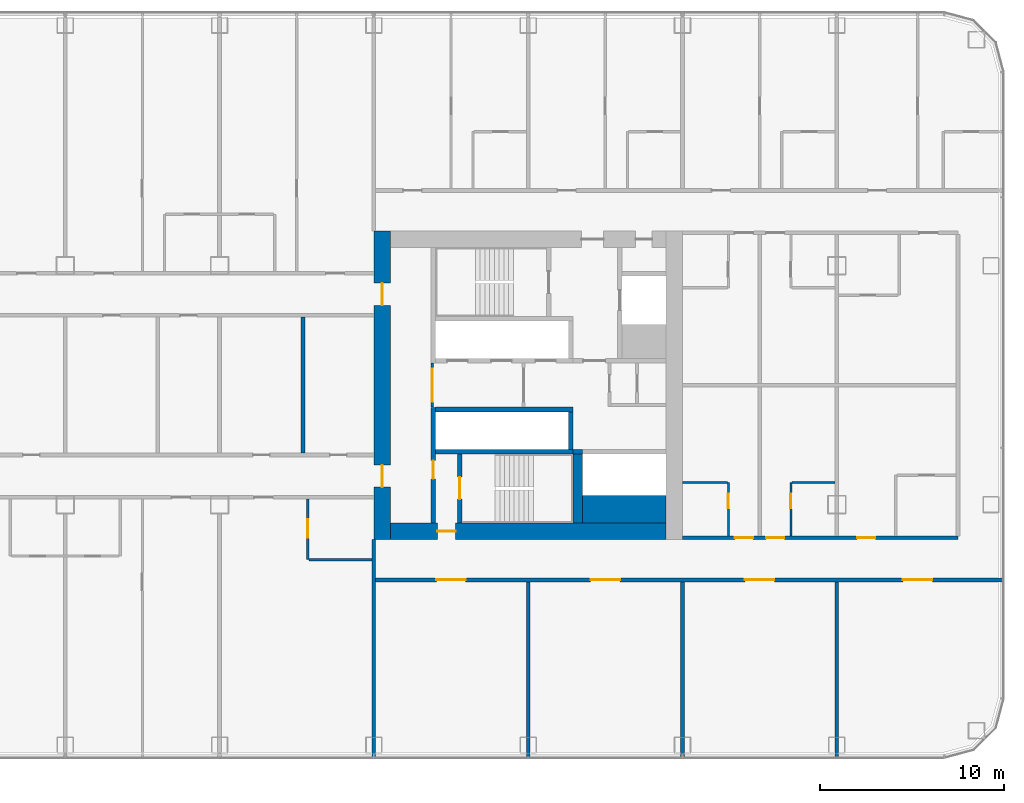
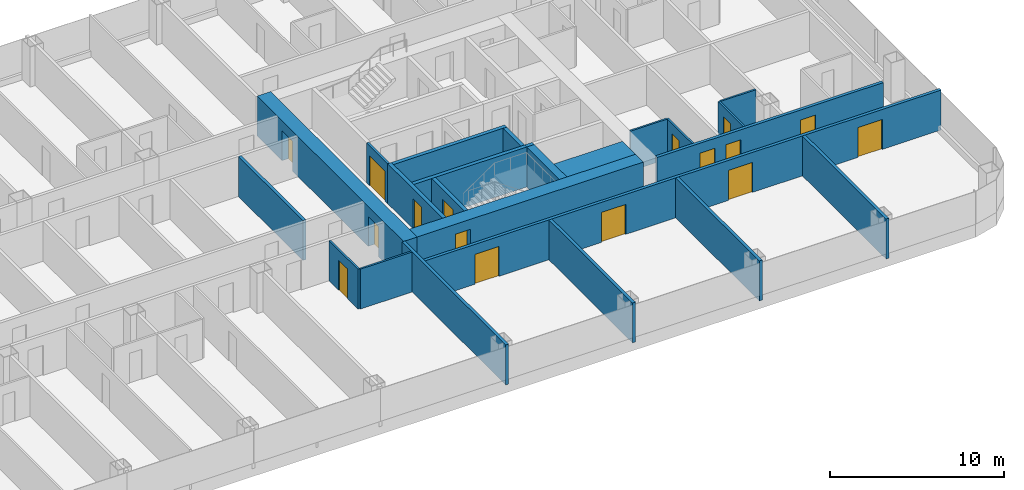
# One storey, part 17 of 28: 24 walls, 16 doors, 16 openings.
"""IFC4 building model written with IfcOpenShell, lengths in metres."""

from ifc_helpers import new_model, si_unit, direction, frame, frame_2d, origin, place, context, subcontext, project, spatial, rectangle, extrude, material, layer, layer_set, type_object, element, fill, save


model = new_model("IFC4")

# Units and contexts
model_context = context("Model", 3, precision=1e-05, world=origin(), true_north=direction((0.0, 1.0)))
body_context = subcontext(model_context, "Body", "Model", "MODEL_VIEW")
ifc_project = project(units=[si_unit("LENGTHUNIT", "METRE"), si_unit("AREAUNIT", "SQUARE_METRE"), si_unit("VOLUMEUNIT", "CUBIC_METRE"), si_unit("PLANEANGLEUNIT", "RADIAN"), si_unit("MASSUNIT", "GRAM", prefix="KILO")], contexts=[model_context])

# Site, building, storey
site_placement = place(None, origin())
site = spatial("IfcSite", under=ifc_project, at=site_placement, CompositionType="ELEMENT")
building_placement = place(site_placement, origin())
building = spatial("IfcBuilding", under=site, at=building_placement, Name="Hakoniwa Tower and Hamabe Station Hall", CompositionType="ELEMENT")
storey_placement = place(building_placement, frame((0.0, 0.0, 32.60009765625)))
storey = spatial("IfcBuildingStorey", under=building, at=storey_placement, Name="L08", CompositionType="ELEMENT", Elevation=32.60009765625)

# Walls
ifc_material_1 = material(Name="Gypsum board partition", Category="gypsum")
ifc_layer_1 = layer(ifc_material_1, 0.125)
ifc_layer_set_1 = layer_set([ifc_layer_1], Name="Bathroom Partition 125")
wall_type_1 = type_object("IfcWallType", Name="Bathroom Partition 125", PredefinedType="PARTITIONING", material=ifc_layer_set_1)
wall_1_placement = place(storey_placement, frame((13.262451171875, -9.5, 0.0), z_axis=(0.0, 0.0, 1.0), x_axis=(1.0, 0.0, 0.0)))
element("IfcWall", 1, at=wall_1_placement, inside=storey, type_object=wall_type_1, Name="GW-L08-003", PredefinedType="PARTITIONING", context=body_context, shape_type="SweptSolid", body=[
    extrude(rectangle(XDim=3.4375, YDim=0.125, at=frame_2d((1.71875, 0.0))), origin(), (0.0, 0.0, 1.0), 2.7998046875),
])
wall_2_placement = place(storey_placement, frame((33.60009765625, -5.300048828125, 0.0), z_axis=(0.0, 0.0, 1.0), x_axis=(1.0, 0.0, 0.0)))
element("IfcWall", 2, at=wall_2_placement, inside=storey, type_object=wall_type_1, Name="GW-L08-009", PredefinedType="PARTITIONING", context=body_context, shape_type="SweptSolid", body=[
    extrude(rectangle(XDim=2.4375, YDim=0.125, at=frame_2d((1.21875, 0.0))), origin(), (0.0, 0.0, 1.0), 2.7998046875),
])
wall_3_placement = place(storey_placement, frame((39.5625, -5.300048828125, 0.0), z_axis=(0.0, 0.0, 1.0), x_axis=(1.0, 0.0, 0.0)))
element("IfcWall", 3, at=wall_3_placement, inside=storey, type_object=wall_type_1, Name="GW-L08-010", PredefinedType="PARTITIONING", context=body_context, shape_type="SweptSolid", body=[
    extrude(rectangle(XDim=2.33740234375, YDim=0.125, at=frame_2d((1.168701171875, 0.0))), origin(), (0.0, 0.0, 1.0), 2.7998046875),
])

# Wall, opening, door
wall_4_placement = place(storey_placement, frame((13.199951171875, -9.5, 0.0), z_axis=(0.0, 0.0, 1.0), x_axis=(0.0, 1.0, 0.0)))
wall_4 = element("IfcWall", 4, at=wall_4_placement, inside=storey, type_object=wall_type_1, Name="GW-L08-084", PredefinedType="PARTITIONING", context=body_context, shape_type="SweptSolid", body=[
    extrude(rectangle(XDim=3.300048828125, YDim=0.125, at=frame_2d((1.64990234375, 0.0))), origin(), (0.0, 0.0, 1.0), 2.7998046875),
])
opening_1_placement = place(wall_4_placement, frame((1.199951171875, 0.0, 0.0)))
opening_1 = element("IfcOpeningElement", 5, at=opening_1_placement, cuts=wall_4, Name="Opening GD-G1E0-74", PredefinedType="OPENING", context=body_context, shape_type="SweptSolid", body=[
    extrude(rectangle(XDim=1.0, YDim=2.10009765625, at=frame_2d((0.5, 1.050048828125))), frame((0.0, 0.072509765625, 0.0), z_axis=(0.0, -1.0, 0.0), x_axis=(1.0, 0.0, 0.0)), (0.0, 0.0, 1.0), 0.14501953125),
])
ifc_material_2 = material(Name="Timber door leaf", Category="wood")
door_type_1 = type_object("IfcDoorType", Name="Accessible Bathroom Door 1000", OperationType="SINGLE_SWING_LEFT", PredefinedType="DOOR", material=ifc_material_2)
door_1_placement = place(opening_1_placement, origin())
door_1 = element("IfcDoor", 6, at=door_1_placement, inside=storey, type_object=door_type_1, Name="Door GD-G1E0-74", OperationType="SINGLE_SWING_LEFT", OverallHeight=2.10009765625, OverallWidth=1.0, PredefinedType="DOOR", context=body_context, shape_type="SweptSolid", body=[
    extrude(rectangle(XDim=1.0, YDim=2.10009765625, at=frame_2d((0.5, 1.050048828125))), frame((0.0, 0.02490234375, 0.0), z_axis=(0.0, -1.0, 0.0), x_axis=(1.0, 0.0, 0.0)), (0.0, 0.0, 1.0), 0.050048828125),
])
fill(opening_1, door_1)

wall_5_placement = place(storey_placement, frame((36.10009765625, -8.199951171875, 0.0), z_axis=(0.0, 0.0, 1.0), x_axis=(0.0, 1.0, 0.0)))
wall_5 = element("IfcWall", 7, at=wall_5_placement, inside=storey, type_object=wall_type_1, Name="GW-L08-095", PredefinedType="PARTITIONING", context=body_context, shape_type="SweptSolid", body=[
    extrude(rectangle(XDim=2.89990234375, YDim=0.125, at=frame_2d((1.449951171875, 0.0))), origin(), (0.0, 0.0, 1.0), 2.7998046875),
])
opening_2_placement = place(wall_5_placement, frame((1.5, 0.0, 0.0)))
opening_2 = element("IfcOpeningElement", 8, at=opening_2_placement, cuts=wall_5, Name="Opening GD-G1E0-77", PredefinedType="OPENING", context=body_context, shape_type="SweptSolid", body=[
    extrude(rectangle(XDim=0.800048828125, YDim=2.10009765625, at=frame_2d((0.39990234375, 1.050048828125))), frame((0.0, 0.072509765625, 0.0), z_axis=(0.0, -1.0, 0.0), x_axis=(1.0, 0.0, 0.0)), (0.0, 0.0, 1.0), 0.14501953125),
])
ifc_material_3 = material(Name="Timber door leaf", Category="wood")
door_type_2 = type_object("IfcDoorType", Name="Bathroom Door 800", OperationType="SINGLE_SWING_LEFT", PredefinedType="DOOR", material=ifc_material_3)
door_2_placement = place(opening_2_placement, origin())
door_2 = element("IfcDoor", 9, at=door_2_placement, inside=storey, type_object=door_type_2, Name="Door GD-G1E0-77", OperationType="SINGLE_SWING_LEFT", OverallHeight=2.10009765625, OverallWidth=0.800048828125, PredefinedType="DOOR", context=body_context, shape_type="SweptSolid", body=[
    extrude(rectangle(XDim=0.800048828125, YDim=2.10009765625, at=frame_2d((0.39990234375, 1.050048828125))), frame((0.0, 0.02490234375, 0.0), z_axis=(0.0, -1.0, 0.0), x_axis=(1.0, 0.0, 0.0)), (0.0, 0.0, 1.0), 0.050048828125),
])
fill(opening_2, door_2)

wall_6_placement = place(storey_placement, frame((39.5, -8.199951171875, 0.0), z_axis=(0.0, 0.0, 1.0), x_axis=(0.0, 1.0, 0.0)))
wall_6 = element("IfcWall", 10, at=wall_6_placement, inside=storey, type_object=wall_type_1, Name="GW-L08-100", PredefinedType="PARTITIONING", context=body_context, shape_type="SweptSolid", body=[
    extrude(rectangle(XDim=2.89990234375, YDim=0.125, at=frame_2d((1.449951171875, 0.0))), origin(), (0.0, 0.0, 1.0), 2.7998046875),
])
opening_3_placement = place(wall_6_placement, frame((1.5, 0.0, 0.0)))
opening_3 = element("IfcOpeningElement", 11, at=opening_3_placement, cuts=wall_6, Name="Opening GD-G1E0-80", PredefinedType="OPENING", context=body_context, shape_type="SweptSolid", body=[
    extrude(rectangle(XDim=0.800048828125, YDim=2.10009765625, at=frame_2d((0.39990234375, 1.050048828125))), frame((0.0, 0.072509765625, 0.0), z_axis=(0.0, -1.0, 0.0), x_axis=(1.0, 0.0, 0.0)), (0.0, 0.0, 1.0), 0.14501953125),
])
door_3_placement = place(opening_3_placement, origin())
door_3 = element("IfcDoor", 12, at=door_3_placement, inside=storey, type_object=door_type_2, Name="Door GD-G1E0-80", OperationType="SINGLE_SWING_RIGHT", OverallHeight=2.10009765625, OverallWidth=0.800048828125, PredefinedType="DOOR", context=body_context, shape_type="SweptSolid", body=[
    extrude(rectangle(XDim=0.800048828125, YDim=2.10009765625, at=frame_2d((0.39990234375, 1.050048828125))), frame((0.0, 0.02490234375, 0.0), z_axis=(0.0, -1.0, 0.0), x_axis=(1.0, 0.0, 0.0)), (0.0, 0.0, 1.0), 0.050048828125),
])
fill(opening_3, door_3)

ifc_material_4 = material(Name="Gypsum board partition")
ifc_layer_2 = layer(ifc_material_4, 0.14990234375)
ifc_layer_set_2 = layer_set([ifc_layer_2], Name="CORE PARTITION 150 EI 60")
wall_type_2 = type_object("IfcWallType", Name="CORE PARTITION 150 EI 60", PredefinedType="PARTITIONING", material=ifc_layer_set_2)
wall_7_placement = place(storey_placement, frame((19.97509765625, -1.199951171875, 0.0), z_axis=(0.0, 0.0, 1.0), x_axis=(0.0, 1.0, 0.0)))
wall_7 = element("IfcWall", 13, at=wall_7_placement, inside=storey, type_object=wall_type_2, Name="Core partition PL0 east", PredefinedType="PARTITIONING", context=body_context, shape_type="SweptSolid", body=[
    extrude(rectangle(XDim=2.39990234375, YDim=0.14990234375, at=frame_2d((1.199951171875, 0.0))), origin(), (0.0, 0.0, 1.0), 2.7998046875),
])
opening_4_placement = place(wall_7_placement, frame((0.300048828125, 0.0, 0.0)))
opening_4 = element("IfcOpeningElement", 14, at=opening_4_placement, cuts=wall_7, Name="Opening CD-E-LP0-18", PredefinedType="OPENING", context=body_context, shape_type="SweptSolid", body=[
    extrude(rectangle(XDim=1.800048828125, YDim=2.10009765625, at=frame_2d((0.89990234375, 1.050048828125))), frame((0.0, 0.0849609375, 0.0), z_axis=(0.0, -1.0, 0.0), x_axis=(1.0, 0.0, 0.0)), (0.0, 0.0, 1.0), 0.169921875),
])
ifc_material_5 = material(Name="Steel fire door", Category="steel")
door_type_3 = type_object("IfcDoorType", Name="CORE DOOR 1800 FD60", OperationType="DOUBLE_DOOR_SINGLE_SWING", PredefinedType="DOOR", material=ifc_material_5)
door_4_placement = place(opening_4_placement, origin())
door_4 = element("IfcDoor", 15, at=door_4_placement, inside=storey, type_object=door_type_3, Name="Lift lobby partition door", OperationType="DOUBLE_DOOR_SINGLE_SWING", OverallHeight=2.10009765625, OverallWidth=1.800048828125, PredefinedType="DOOR", context=body_context, shape_type="SweptSolid", body=[
    extrude(rectangle(XDim=1.800048828125, YDim=2.10009765625, at=frame_2d((0.89990234375, 1.050048828125))), frame((0.0, 0.02490234375, 0.0), z_axis=(0.0, -1.0, 0.0), x_axis=(1.0, 0.0, 0.0)), (0.0, 0.0, 1.0), 0.050048828125),
])
fill(opening_4, door_4)

# Wall, openings, doors
ifc_material_6 = material(Name="Concrete C80", Category="concrete")
ifc_layer_3 = layer(ifc_material_6, 0.89990234375)
ifc_layer_set_3 = layer_set([ifc_layer_3], Name="CORE WALL 900 C80")
wall_type_3 = type_object("IfcWallType", Name="CORE WALL 900 C80", PredefinedType="SHEAR", material=ifc_layer_set_3)
wall_8_placement = place(storey_placement, frame((17.25, -8.39990234375, 0.0), z_axis=(0.0, 0.0, 1.0), x_axis=(0.0, 1.0, 0.0)))
wall_8 = element("IfcWall", 16, at=wall_8_placement, inside=storey, type_object=wall_type_3, Name="Core wall INNER east", PredefinedType="SHEAR", context=body_context, shape_type="SweptSolid", body=[
    extrude(rectangle(XDim=16.7998046875, YDim=0.89990234375, at=frame_2d((8.39990234375, 0.0))), origin(), (0.0, 0.0, 1.0), 2.7998046875),
])
opening_5_placement = place(wall_8_placement, frame((12.75, 0.0, 0.0)))
opening_5 = element("IfcOpeningElement", 17, at=opening_5_placement, cuts=wall_8, Name="Opening CD-E-IN1-12", PredefinedType="OPENING", context=body_context, shape_type="SweptSolid", body=[
    extrude(rectangle(XDim=1.199951171875, YDim=2.10009765625, at=frame_2d((0.60009765625, 1.050048828125))), frame((0.0, 0.4599609375, 0.0), z_axis=(0.0, -1.0, 0.0), x_axis=(1.0, 0.0, 0.0)), (0.0, 0.0, 1.0), 0.919921875),
])
opening_6_placement = place(wall_8_placement, frame((2.85009765625, 0.0, 0.0)))
opening_6 = element("IfcOpeningElement", 18, at=opening_6_placement, cuts=wall_8, Name="Opening CD-E-IN2-12", PredefinedType="OPENING", context=body_context, shape_type="SweptSolid", body=[
    extrude(rectangle(XDim=1.199951171875, YDim=2.10009765625, at=frame_2d((0.60009765625, 1.050048828125))), frame((0.0, 0.4599609375, 0.0), z_axis=(0.0, -1.0, 0.0), x_axis=(1.0, 0.0, 0.0)), (0.0, 0.0, 1.0), 0.919921875),
])
ifc_material_7 = material(Name="Steel fire door", Category="steel")
door_type_4 = type_object("IfcDoorType", Name="CORE DOOR 1200 FD60", OperationType="DOUBLE_DOOR_SINGLE_SWING", PredefinedType="DOOR", material=ifc_material_7)
door_5_placement = place(opening_5_placement, origin())
door_5 = element("IfcDoor", 19, at=door_5_placement, inside=storey, type_object=door_type_4, Name="Lift lobby door", OperationType="DOUBLE_DOOR_SINGLE_SWING", OverallHeight=2.10009765625, OverallWidth=1.199951171875, PredefinedType="DOOR", context=body_context, shape_type="SweptSolid", body=[
    extrude(rectangle(XDim=1.199951171875, YDim=2.10009765625, at=frame_2d((0.60009765625, 1.050048828125))), frame((0.0, 0.02490234375, 0.0), z_axis=(0.0, -1.0, 0.0), x_axis=(1.0, 0.0, 0.0)), (0.0, 0.0, 1.0), 0.050048828125),
])
fill(opening_5, door_5)
door_6_placement = place(opening_6_placement, origin())
door_6 = element("IfcDoor", 20, at=door_6_placement, inside=storey, type_object=door_type_4, Name="Lift lobby door", OperationType="DOUBLE_DOOR_SINGLE_SWING", OverallHeight=2.10009765625, OverallWidth=1.199951171875, PredefinedType="DOOR", context=body_context, shape_type="SweptSolid", body=[
    extrude(rectangle(XDim=1.199951171875, YDim=2.10009765625, at=frame_2d((0.60009765625, 1.050048828125))), frame((0.0, 0.02490234375, 0.0), z_axis=(0.0, -1.0, 0.0), x_axis=(1.0, 0.0, 0.0)), (0.0, 0.0, 1.0), 0.050048828125),
])
fill(opening_6, door_6)

# Wall, opening, door
wall_9_placement = place(storey_placement, frame((17.699951171875, -7.949951171875, 0.0), z_axis=(0.0, 0.0, 1.0), x_axis=(1.0, 0.0, 0.0)))
wall_9 = element("IfcWall", 21, at=wall_9_placement, inside=storey, type_object=wall_type_3, Name="Core wall SOUTH east", PredefinedType="SHEAR", context=body_context, shape_type="SweptSolid", body=[
    extrude(rectangle(XDim=15.0, YDim=0.89990234375, at=frame_2d((7.5, 0.0))), origin(), (0.0, 0.0, 1.0), 2.7998046875),
])
opening_7_placement = place(wall_9_placement, frame((2.550048828125, 0.0, 0.0)))
opening_7 = element("IfcOpeningElement", 22, at=opening_7_placement, cuts=wall_9, Name="Opening CD-E-FS3-10", PredefinedType="OPENING", context=body_context, shape_type="SweptSolid", body=[
    extrude(rectangle(XDim=1.0, YDim=2.10009765625, at=frame_2d((0.5, 1.050048828125))), frame((0.0, 0.4599609375, 0.0), z_axis=(0.0, -1.0, 0.0), x_axis=(1.0, 0.0, 0.0)), (0.0, 0.0, 1.0), 0.919921875),
])
ifc_material_8 = material(Name="Steel fire door", Category="steel")
door_type_5 = type_object("IfcDoorType", Name="CORE DOOR 1000 FD60", OperationType="NOTDEFINED", PredefinedType="DOOR", material=ifc_material_8)
door_7_placement = place(opening_7_placement, origin())
door_7 = element("IfcDoor", 23, at=door_7_placement, inside=storey, type_object=door_type_5, Name="Stair vestibule door", OperationType="SINGLE_SWING_RIGHT", OverallHeight=2.10009765625, OverallWidth=1.0, PredefinedType="DOOR", context=body_context, shape_type="SweptSolid", body=[
    extrude(rectangle(XDim=1.0, YDim=2.10009765625, at=frame_2d((0.5, 1.050048828125))), frame((0.0, 0.02490234375, 0.0), z_axis=(0.0, -1.0, 0.0), x_axis=(1.0, 0.0, 0.0)), (0.0, 0.0, 1.0), 0.050048828125),
])
fill(opening_7, door_7)

# Wall
ifc_material_9 = material(Name="Concrete C80", Category="concrete")
ifc_layer_4 = layer(ifc_material_9, 1.5)
ifc_layer_set_4 = layer_set([ifc_layer_4], Name="CORE WEB WALL 1500 C80")
wall_type_4 = type_object("IfcWallType", Name="CORE WEB WALL 1500 C80", PredefinedType="SHEAR", material=ifc_layer_set_4)
wall_10_placement = place(storey_placement, frame((28.14990234375, -6.75, 0.0), z_axis=(0.0, 0.0, 1.0), x_axis=(1.0, 0.0, 0.0)))
element("IfcWall", 24, at=wall_10_placement, inside=storey, type_object=wall_type_4, Name="Core wall SER east", PredefinedType="SHEAR", context=body_context, shape_type="SweptSolid", body=[
    extrude(rectangle(XDim=4.550048828125, YDim=1.5, at=frame_2d((2.27490234375, 0.0))), origin(), (0.0, 0.0, 1.0), 2.7998046875),
])

# Wall, opening, door
ifc_material_10 = material(Name="Concrete C80", Category="concrete")
ifc_layer_5 = layer(ifc_material_10, 0.25)
ifc_layer_set_5 = layer_set([ifc_layer_5], Name="CORE WEB WALL 250 C80")
wall_type_5 = type_object("IfcWallType", Name="CORE WEB WALL 250 C80", PredefinedType="SHEAR", material=ifc_layer_set_5)
wall_11_placement = place(storey_placement, frame((20.02490234375, -7.5, 0.0), z_axis=(0.0, 0.0, 1.0), x_axis=(0.0, 1.0, 0.0)))
wall_11 = element("IfcWall", 25, at=wall_11_placement, inside=storey, type_object=wall_type_5, Name="Core wall W1S east", PredefinedType="SHEAR", context=body_context, shape_type="SweptSolid", body=[
    extrude(rectangle(XDim=6.300048828125, YDim=0.25, at=frame_2d((3.14990234375, 0.0))), origin(), (0.0, 0.0, 1.0), 2.7998046875),
])
opening_8_placement = place(wall_11_placement, frame((2.39990234375, 0.0, 0.0)))
opening_8 = element("IfcOpeningElement", 26, at=opening_8_placement, cuts=wall_11, Name="Opening CD-E-VS-10", PredefinedType="OPENING", context=body_context, shape_type="SweptSolid", body=[
    extrude(rectangle(XDim=1.0, YDim=2.10009765625, at=frame_2d((0.5, 1.050048828125))), frame((0.0, 0.135009765625, 0.0), z_axis=(0.0, -1.0, 0.0), x_axis=(1.0, 0.0, 0.0)), (0.0, 0.0, 1.0), 0.27001953125),
])
door_8_placement = place(opening_8_placement, origin())
door_8 = element("IfcDoor", 27, at=door_8_placement, inside=storey, type_object=door_type_5, Name="Stair vestibule door", OperationType="SINGLE_SWING_RIGHT", OverallHeight=2.10009765625, OverallWidth=1.0, PredefinedType="DOOR", context=body_context, shape_type="SweptSolid", body=[
    extrude(rectangle(XDim=1.0, YDim=2.10009765625, at=frame_2d((0.5, 1.050048828125))), frame((0.0, 0.02490234375, 0.0), z_axis=(0.0, -1.0, 0.0), x_axis=(1.0, 0.0, 0.0)), (0.0, 0.0, 1.0), 0.050048828125),
])
fill(opening_8, door_8)

# Walls
wall_12_placement = place(storey_placement, frame((20.14990234375, -1.324951171875, 0.0), z_axis=(0.0, 0.0, 1.0), x_axis=(1.0, 0.0, 0.0)))
element("IfcWall", 28, at=wall_12_placement, inside=storey, type_object=wall_type_5, Name="Core wall SF east", PredefinedType="SHEAR", context=body_context, shape_type="SweptSolid", body=[
    extrude(rectangle(XDim=7.5, YDim=0.25, at=frame_2d((3.75, 0.0))), origin(), (0.0, 0.0, 1.0), 2.7998046875),
])
wall_13_placement = place(storey_placement, frame((27.52490234375, -3.5, 0.0), z_axis=(0.0, 0.0, 1.0), x_axis=(0.0, 1.0, 0.0)))
element("IfcWall", 29, at=wall_13_placement, inside=storey, type_object=wall_type_5, Name="Core wall SE east", PredefinedType="SHEAR", context=body_context, shape_type="SweptSolid", body=[
    extrude(rectangle(XDim=2.050048828125, YDim=0.25, at=frame_2d((1.02490234375, 0.0))), origin(), (0.0, 0.0, 1.0), 2.7998046875),
])
wall_14_placement = place(storey_placement, frame((20.14990234375, -3.625, 0.0), z_axis=(0.0, 0.0, 1.0), x_axis=(1.0, 0.0, 0.0)))
element("IfcWall", 30, at=wall_14_placement, inside=storey, type_object=wall_type_5, Name="Core wall SR east", PredefinedType="SHEAR", context=body_context, shape_type="SweptSolid", body=[
    extrude(rectangle(XDim=7.5, YDim=0.25, at=frame_2d((3.75, 0.0))), origin(), (0.0, 0.0, 1.0), 2.7998046875),
])

# Wall, opening, door
wall_15_placement = place(storey_placement, frame((21.47509765625, -7.5, 0.0), z_axis=(0.0, 0.0, 1.0), x_axis=(0.0, 1.0, 0.0)))
wall_15 = element("IfcWall", 31, at=wall_15_placement, inside=storey, type_object=wall_type_5, Name="Core wall VE east", PredefinedType="SHEAR", context=body_context, shape_type="SweptSolid", body=[
    extrude(rectangle(XDim=3.75, YDim=0.25, at=frame_2d((1.875, 0.0))), origin(), (0.0, 0.0, 1.0), 2.7998046875),
])
opening_9_placement = place(wall_15_placement, frame((1.300048828125, 0.0, 0.0)))
opening_9 = element("IfcOpeningElement", 32, at=opening_9_placement, cuts=wall_15, Name="Opening CD-E-SS-12", PredefinedType="OPENING", context=body_context, shape_type="SweptSolid", body=[
    extrude(rectangle(XDim=1.199951171875, YDim=2.10009765625, at=frame_2d((0.60009765625, 1.050048828125))), frame((0.0, 0.135009765625, 0.0), z_axis=(0.0, -1.0, 0.0), x_axis=(1.0, 0.0, 0.0)), (0.0, 0.0, 1.0), 0.27001953125),
])
door_9_placement = place(opening_9_placement, origin())
door_9 = element("IfcDoor", 33, at=door_9_placement, inside=storey, type_object=door_type_4, Name="Escape stair door", OperationType="DOUBLE_DOOR_SINGLE_SWING", OverallHeight=2.10009765625, OverallWidth=1.199951171875, PredefinedType="DOOR", context=body_context, shape_type="SweptSolid", body=[
    extrude(rectangle(XDim=1.199951171875, YDim=2.10009765625, at=frame_2d((0.60009765625, 1.050048828125))), frame((0.0, 0.02490234375, 0.0), z_axis=(0.0, -1.0, 0.0), x_axis=(1.0, 0.0, 0.0)), (0.0, 0.0, 1.0), 0.050048828125),
])
fill(opening_9, door_9)

# Walls
wall_16_placement = place(storey_placement, frame((27.64990234375, -3.625, 0.0), z_axis=(0.0, 0.0, 1.0), x_axis=(1.0, 0.0, 0.0)))
element("IfcWall", 34, at=wall_16_placement, inside=storey, type_object=wall_type_5, Name="Core wall SRK east", PredefinedType="SHEAR", context=body_context, shape_type="SweptSolid", body=[
    extrude(rectangle(XDim=0.5, YDim=0.25, at=frame_2d((0.25, 0.0))), origin(), (0.0, 0.0, 1.0), 2.7998046875),
])
ifc_material_11 = material(Name="Concrete C80", Category="concrete")
ifc_layer_6 = layer(ifc_material_11, 0.5)
ifc_layer_set_6 = layer_set([ifc_layer_6], Name="CORE WEB WALL 500 C80")
wall_type_6 = type_object("IfcWallType", Name="CORE WEB WALL 500 C80", PredefinedType="SHEAR", material=ifc_layer_set_6)
wall_17_placement = place(storey_placement, frame((27.89990234375, -7.5, 0.0), z_axis=(0.0, 0.0, 1.0), x_axis=(0.0, 1.0, 0.0)))
element("IfcWall", 35, at=wall_17_placement, inside=storey, type_object=wall_type_6, Name="Core wall SSE east", PredefinedType="SHEAR", context=body_context, shape_type="SweptSolid", body=[
    extrude(rectangle(XDim=3.75, YDim=0.5, at=frame_2d((1.875, 0.0))), origin(), (0.0, 0.0, 1.0), 2.7998046875),
])

# Wall, openings, doors
ifc_material_12 = material(Name="Fire-rated gypsum board partition", Category="gypsum")
ifc_layer_7 = layer(ifc_material_12, 0.199951171875)
ifc_layer_set_7 = layer_set([ifc_layer_7], Name="Corridor Wall 200")
wall_type_7 = type_object("IfcWallType", Name="Corridor Wall 200", PredefinedType="PARTITIONING", material=ifc_layer_set_7)
wall_18_placement = place(storey_placement, frame((16.800048828125, -10.60009765625, 0.0), z_axis=(0.0, 0.0, 1.0), x_axis=(1.0, 0.0, 0.0)))
wall_18 = element("IfcWall", 36, at=wall_18_placement, inside=storey, type_object=wall_type_7, Name="GW-L08-002", PredefinedType="PARTITIONING", context=body_context, shape_type="SweptSolid", body=[
    extrude(rectangle(XDim=34.300048828125, YDim=0.199951171875, at=frame_2d((17.14990234375, 0.0))), origin(), (0.0, 0.0, 1.0), 2.7998046875),
])
opening_10_placement = place(wall_18_placement, frame((3.39990234375, 0.0, 0.0)))
opening_10 = element("IfcOpeningElement", 37, at=opening_10_placement, cuts=wall_18, Name="Opening GD-G1E0-08", PredefinedType="OPENING", context=body_context, shape_type="SweptSolid", body=[
    extrude(rectangle(XDim=1.60009765625, YDim=2.10009765625, at=frame_2d((0.800048828125, 1.050048828125))), frame((0.0, 0.10986328125, 0.0), z_axis=(0.0, -1.0, 0.0), x_axis=(1.0, 0.0, 0.0)), (0.0, 0.0, 1.0), 0.219970703125),
])
opening_11_placement = place(wall_18_placement, frame((11.800048828125, 0.0, 0.0)))
opening_11 = element("IfcOpeningElement", 38, at=opening_11_placement, cuts=wall_18, Name="Opening GD-G1E0-09", PredefinedType="OPENING", context=body_context, shape_type="SweptSolid", body=[
    extrude(rectangle(XDim=1.60009765625, YDim=2.10009765625, at=frame_2d((0.800048828125, 1.050048828125))), frame((0.0, 0.10986328125, 0.0), z_axis=(0.0, -1.0, 0.0), x_axis=(1.0, 0.0, 0.0)), (0.0, 0.0, 1.0), 0.219970703125),
])
opening_12_placement = place(wall_18_placement, frame((20.199951171875, 0.0, 0.0)))
opening_12 = element("IfcOpeningElement", 39, at=opening_12_placement, cuts=wall_18, Name="Opening GD-G1E0-10", PredefinedType="OPENING", context=body_context, shape_type="SweptSolid", body=[
    extrude(rectangle(XDim=1.60009765625, YDim=2.10009765625, at=frame_2d((0.800048828125, 1.050048828125))), frame((0.0, 0.10986328125, 0.0), z_axis=(0.0, -1.0, 0.0), x_axis=(1.0, 0.0, 0.0)), (0.0, 0.0, 1.0), 0.219970703125),
])
opening_13_placement = place(wall_18_placement, frame((28.800048828125, 0.0, 0.0)))
opening_13 = element("IfcOpeningElement", 40, at=opening_13_placement, cuts=wall_18, Name="Opening GD-G1E0-11", PredefinedType="OPENING", context=body_context, shape_type="SweptSolid", body=[
    extrude(rectangle(XDim=1.60009765625, YDim=2.10009765625, at=frame_2d((0.800048828125, 1.050048828125))), frame((0.0, 0.10986328125, 0.0), z_axis=(0.0, -1.0, 0.0), x_axis=(1.0, 0.0, 0.0)), (0.0, 0.0, 1.0), 0.219970703125),
])
ifc_material_13 = material(Name="Timber door leaf", Category="wood")
door_type_6 = type_object("IfcDoorType", Name="Double Door 1600", OperationType="DOUBLE_DOOR_SINGLE_SWING", PredefinedType="DOOR", material=ifc_material_13)
door_10_placement = place(opening_10_placement, origin())
door_10 = element("IfcDoor", 41, at=door_10_placement, inside=storey, type_object=door_type_6, Name="Door GD-G1E0-08", OperationType="DOUBLE_DOOR_SINGLE_SWING", OverallHeight=2.10009765625, OverallWidth=1.60009765625, PredefinedType="DOOR", context=body_context, shape_type="SweptSolid", body=[
    extrude(rectangle(XDim=1.60009765625, YDim=2.10009765625, at=frame_2d((0.800048828125, 1.050048828125))), frame((0.0, 0.02490234375, 0.0), z_axis=(0.0, -1.0, 0.0), x_axis=(1.0, 0.0, 0.0)), (0.0, 0.0, 1.0), 0.050048828125),
])
fill(opening_10, door_10)
door_11_placement = place(opening_11_placement, origin())
door_11 = element("IfcDoor", 42, at=door_11_placement, inside=storey, type_object=door_type_6, Name="Door GD-G1E0-09", OperationType="DOUBLE_DOOR_SINGLE_SWING", OverallHeight=2.10009765625, OverallWidth=1.60009765625, PredefinedType="DOOR", context=body_context, shape_type="SweptSolid", body=[
    extrude(rectangle(XDim=1.60009765625, YDim=2.10009765625, at=frame_2d((0.800048828125, 1.050048828125))), frame((0.0, 0.02490234375, 0.0), z_axis=(0.0, -1.0, 0.0), x_axis=(1.0, 0.0, 0.0)), (0.0, 0.0, 1.0), 0.050048828125),
])
fill(opening_11, door_11)
door_12_placement = place(opening_12_placement, origin())
door_12 = element("IfcDoor", 43, at=door_12_placement, inside=storey, type_object=door_type_6, Name="Door GD-G1E0-10", OperationType="DOUBLE_DOOR_SINGLE_SWING", OverallHeight=2.10009765625, OverallWidth=1.60009765625, PredefinedType="DOOR", context=body_context, shape_type="SweptSolid", body=[
    extrude(rectangle(XDim=1.60009765625, YDim=2.10009765625, at=frame_2d((0.800048828125, 1.050048828125))), frame((0.0, 0.02490234375, 0.0), z_axis=(0.0, -1.0, 0.0), x_axis=(1.0, 0.0, 0.0)), (0.0, 0.0, 1.0), 0.050048828125),
])
fill(opening_12, door_12)
door_13_placement = place(opening_13_placement, origin())
door_13 = element("IfcDoor", 44, at=door_13_placement, inside=storey, type_object=door_type_6, Name="Door GD-G1E0-11", OperationType="DOUBLE_DOOR_SINGLE_SWING", OverallHeight=2.10009765625, OverallWidth=1.60009765625, PredefinedType="DOOR", context=body_context, shape_type="SweptSolid", body=[
    extrude(rectangle(XDim=1.60009765625, YDim=2.10009765625, at=frame_2d((0.800048828125, 1.050048828125))), frame((0.0, 0.02490234375, 0.0), z_axis=(0.0, -1.0, 0.0), x_axis=(1.0, 0.0, 0.0)), (0.0, 0.0, 1.0), 0.050048828125),
])
fill(opening_13, door_13)

wall_19_placement = place(storey_placement, frame((33.60009765625, -8.300048828125, 0.0), z_axis=(0.0, 0.0, 1.0), x_axis=(1.0, 0.0, 0.0)))
wall_19 = element("IfcWall", 45, at=wall_19_placement, inside=storey, type_object=wall_type_7, Name="GW-L08-007", PredefinedType="PARTITIONING", context=body_context, shape_type="SweptSolid", body=[
    extrude(rectangle(XDim=15.0, YDim=0.199951171875, at=frame_2d((7.5, 0.0))), origin(), (0.0, 0.0, 1.0), 2.7998046875),
])
opening_14_placement = place(wall_19_placement, frame((2.85009765625, 0.0, 0.0)))
opening_14 = element("IfcOpeningElement", 46, at=opening_14_placement, cuts=wall_19, Name="Opening GD-G1E0-17", PredefinedType="OPENING", context=body_context, shape_type="SweptSolid", body=[
    extrude(rectangle(XDim=1.0, YDim=2.10009765625, at=frame_2d((0.5, 1.050048828125))), frame((0.0, 0.10986328125, 0.0), z_axis=(0.0, -1.0, 0.0), x_axis=(1.0, 0.0, 0.0)), (0.0, 0.0, 1.0), 0.219970703125),
])
opening_15_placement = place(wall_19_placement, frame((4.550048828125, 0.0, 0.0)))
opening_15 = element("IfcOpeningElement", 47, at=opening_15_placement, cuts=wall_19, Name="Opening GD-G1E0-18", PredefinedType="OPENING", context=body_context, shape_type="SweptSolid", body=[
    extrude(rectangle(XDim=1.0, YDim=2.10009765625, at=frame_2d((0.5, 1.050048828125))), frame((0.0, 0.10986328125, 0.0), z_axis=(0.0, -1.0, 0.0), x_axis=(1.0, 0.0, 0.0)), (0.0, 0.0, 1.0), 0.219970703125),
])
opening_16_placement = place(wall_19_placement, frame((9.5, 0.0, 0.0)))
opening_16 = element("IfcOpeningElement", 48, at=opening_16_placement, cuts=wall_19, Name="Opening GD-G1E0-19", PredefinedType="OPENING", context=body_context, shape_type="SweptSolid", body=[
    extrude(rectangle(XDim=1.0, YDim=2.10009765625, at=frame_2d((0.5, 1.050048828125))), frame((0.0, 0.10986328125, 0.0), z_axis=(0.0, -1.0, 0.0), x_axis=(1.0, 0.0, 0.0)), (0.0, 0.0, 1.0), 0.219970703125),
])
ifc_material_14 = material(Name="Timber door leaf", Category="wood")
door_type_7 = type_object("IfcDoorType", Name="Guest Entrance Door 1000", OperationType="SINGLE_SWING_LEFT", PredefinedType="DOOR", material=ifc_material_14)
door_14_placement = place(opening_14_placement, origin())
door_14 = element("IfcDoor", 49, at=door_14_placement, inside=storey, type_object=door_type_7, Name="Door GD-G1E0-17", OperationType="SINGLE_SWING_LEFT", OverallHeight=2.10009765625, OverallWidth=1.0, PredefinedType="DOOR", context=body_context, shape_type="SweptSolid", body=[
    extrude(rectangle(XDim=1.0, YDim=2.10009765625, at=frame_2d((0.5, 1.050048828125))), frame((0.0, 0.02490234375, 0.0), z_axis=(0.0, -1.0, 0.0), x_axis=(1.0, 0.0, 0.0)), (0.0, 0.0, 1.0), 0.050048828125),
])
fill(opening_14, door_14)
door_15_placement = place(opening_15_placement, origin())
door_15 = element("IfcDoor", 50, at=door_15_placement, inside=storey, type_object=door_type_7, Name="Door GD-G1E0-18", OperationType="SINGLE_SWING_RIGHT", OverallHeight=2.10009765625, OverallWidth=1.0, PredefinedType="DOOR", context=body_context, shape_type="SweptSolid", body=[
    extrude(rectangle(XDim=1.0, YDim=2.10009765625, at=frame_2d((0.5, 1.050048828125))), frame((0.0, 0.02490234375, 0.0), z_axis=(0.0, -1.0, 0.0), x_axis=(1.0, 0.0, 0.0)), (0.0, 0.0, 1.0), 0.050048828125),
])
fill(opening_15, door_15)
door_16_placement = place(opening_16_placement, origin())
door_16 = element("IfcDoor", 51, at=door_16_placement, inside=storey, type_object=door_type_7, Name="Door GD-G1E0-19", OperationType="SINGLE_SWING_LEFT", OverallHeight=2.10009765625, OverallWidth=1.0, PredefinedType="DOOR", context=body_context, shape_type="SweptSolid", body=[
    extrude(rectangle(XDim=1.0, YDim=2.10009765625, at=frame_2d((0.5, 1.050048828125))), frame((0.0, 0.02490234375, 0.0), z_axis=(0.0, -1.0, 0.0), x_axis=(1.0, 0.0, 0.0)), (0.0, 0.0, 1.0), 0.050048828125),
])
fill(opening_16, door_16)

# Walls
ifc_material_15 = material(Name="Fire-rated gypsum board partition", Category="gypsum")
ifc_layer_8 = layer(ifc_material_15, 0.199951171875)
ifc_layer_set_8 = layer_set([ifc_layer_8], Name="Party Wall 200")
wall_type_8 = type_object("IfcWallType", Name="Party Wall 200", PredefinedType="PARTITIONING", material=ifc_layer_set_8)
wall_20_placement = place(storey_placement, frame((12.93994140625, -3.699951171875, 0.0), z_axis=(0.0, 0.0, 1.0), x_axis=(0.0, 1.0, 0.0)))
element("IfcWall", 52, at=wall_20_placement, inside=storey, type_object=wall_type_8, Name="GW-L08-083", PredefinedType="PARTITIONING", context=body_context, shape_type="SweptSolid", body=[
    extrude(rectangle(XDim=7.39990234375, YDim=0.199951171875, at=frame_2d((3.699951171875, 0.0))), origin(), (0.0, 0.0, 1.0), 2.7998046875),
])
wall_21_placement = place(storey_placement, frame((16.800048828125, -20.300048828125, 0.0), z_axis=(0.0, 0.0, 1.0), x_axis=(0.0, 1.0, 0.0)))
element("IfcWall", 53, at=wall_21_placement, inside=storey, type_object=wall_type_8, Name="GW-L08-085", PredefinedType="PARTITIONING", context=body_context, shape_type="SweptSolid", body=[
    extrude(rectangle(XDim=11.91015625, YDim=0.199951171875, at=frame_2d((5.955078125, 0.0))), origin(), (0.0, 0.0, 1.0), 2.7998046875),
])
for number, where, z_axis, x_axis, name in (
    (54, (25.199951171875, -20.300048828125, 0.0), (0.0, 0.0, 1.0), (0.0, 1.0, 0.0), "GW-L08-089"),
    (55, (33.60009765625, -20.300048828125, 0.0), (0.0, 0.0, 1.0), (0.0, 1.0, 0.0), "GW-L08-093"),
    (56, (42.0, -20.300048828125, 0.0), (0.0, 0.0, 1.0), (0.0, 1.0, 0.0), "GW-L08-102"),
):
    element("IfcWall", number, at=place(storey_placement, frame(where, z_axis=z_axis, x_axis=x_axis)), inside=storey, type_object=wall_type_8, Name=name, PredefinedType="PARTITIONING", context=body_context, shape_type="SweptSolid", body=[
        extrude(rectangle(XDim=9.60009765625, YDim=0.199951171875, at=frame_2d((4.800048828125, 0.0))), origin(), (0.0, 0.0, 1.0), 2.7998046875),
    ])

save(model, "model.ifc")
